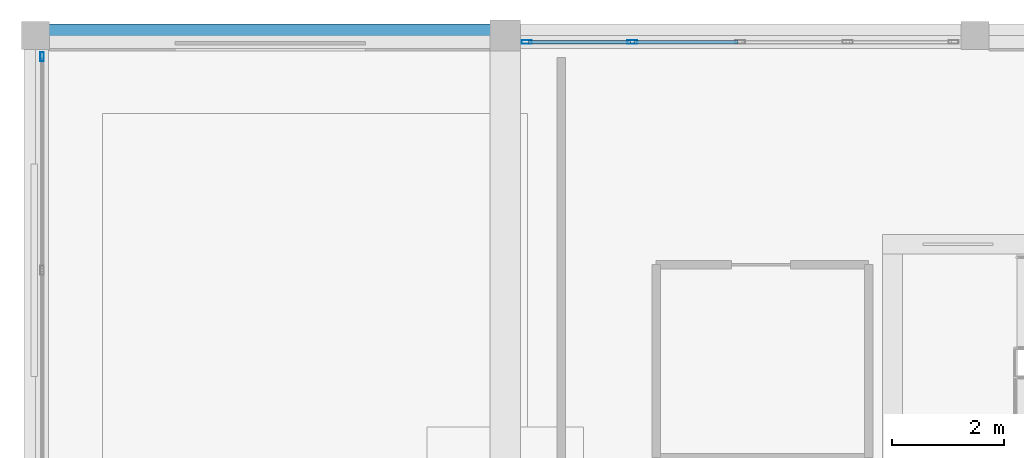
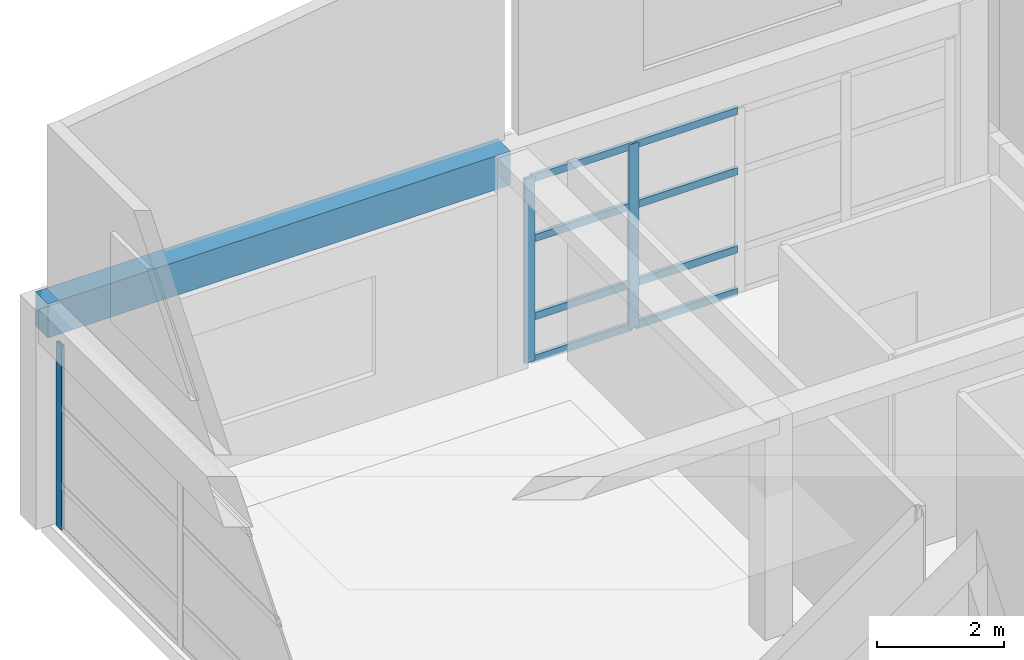
# One storey, part 10 of 17: 11 members, 1 beam, 2 elements without a shape of their own.
"""IFC4 building model written with IfcOpenShell, lengths in metres."""

import ifcopenshell
import ifcopenshell.guid

model = None  # the IFC model being written
_history = None  # IfcOwnerHistory: only IFC2X3 demands one
_inside = {}  # id of a spatial element -> (the spatial element, [elements in it])
_under = {}  # id of a project, library or spatial element -> (it, [spatial elements below it])
_declared = {}  # id of a project -> (the project, [libraries it declares])
_typed = {}  # id of a type object -> (the type object, [elements of that type])
_made_of = {}  # id of a material, layer set ... -> (it, [elements and type objects made of it])


def new_model(schema):
    """Start an empty IFC model of exactly this schema.

    Asked for "IFC4X3", IfcOpenShell would pick the latest addendum, in which some entities
    have other attributes; the version numbers below select the first issue.
    IFC2X3 requires an IfcOwnerHistory on every rooted entity: one is made here for all.
    """
    global model, _history
    if schema == "IFC4X3":
        model = ifcopenshell.file(schema_version=(4, 3, 0, 0))
    else:
        model = ifcopenshell.file(schema=schema)
    _inside.clear()
    _under.clear()
    _declared.clear()
    _typed.clear()
    _made_of.clear()
    _history = None
    if model.schema == "IFC2X3":
        org = make("IfcOrganization", Name="unknown")
        user = make(
            "IfcPersonAndOrganization",
            ThePerson=make("IfcPerson", FamilyName="unknown"),
            TheOrganization=org,
        )
        app = make(
            "IfcApplication",
            ApplicationDeveloper=org,
            Version="unknown",
            ApplicationFullName="unknown",
            ApplicationIdentifier="unknown",
        )
        _history = make(
            "IfcOwnerHistory",
            OwningUser=user,
            OwningApplication=app,
            ChangeAction="ADDED",
            CreationDate=0,
        )
    return model


def make(cls, **values):
    """One entity of the class cls with the attributes given. An attribute that is None is left unset."""
    return model.create_entity(
        cls, **{name: value for name, value in values.items() if value is not None}
    )


def rooted(cls, **values):
    """An entity with a GlobalId (a new one), such as an element, a storey or a relation."""
    return make(cls, GlobalId=ifcopenshell.guid.new(), OwnerHistory=_history, **values)


def si_unit(unit_type, name, prefix=None):
    """IfcSIUnit, for example si_unit("LENGTHUNIT", "METRE", prefix="MILLI")."""
    return make("IfcSIUnit", UnitType=unit_type, Prefix=prefix, Name=name)


def assignment(units):
    """IfcUnitAssignment: the units of a project."""
    return None if units is None else make("IfcUnitAssignment", Units=units)


def point(xyz):
    """IfcCartesianPoint."""
    return None if xyz is None else make("IfcCartesianPoint", Coordinates=xyz)


def direction(xyz):
    """IfcDirection."""
    return None if xyz is None else make("IfcDirection", DirectionRatios=xyz)


def frame(location, z_axis=None, x_axis=None):
    """IfcAxis2Placement3D, a coordinate frame: its origin and axes. An axis left out is left unset."""
    return make(
        "IfcAxis2Placement3D",
        Location=point(location),
        Axis=direction(z_axis),
        RefDirection=direction(x_axis),
    )


def frame_2d(location, x_axis=None):
    """IfcAxis2Placement2D, a coordinate frame in the plane: its origin and x axis."""
    return make(
        "IfcAxis2Placement2D", Location=point(location), RefDirection=direction(x_axis)
    )


def origin():
    """The frame at (0, 0, 0) with its axes left unset."""
    return frame((0.0, 0.0, 0.0))


def origin_2d():
    """The frame at (0, 0) in the plane with its x axis left unset."""
    return frame_2d((0.0, 0.0))


def place(relative_to, where):
    """IfcLocalPlacement: puts the frame where relative to a parent placement (None: the world)."""
    return make(
        "IfcLocalPlacement", PlacementRelTo=relative_to, RelativePlacement=where
    )


def context(
    kind, dimensions, precision=None, world=None, true_north=None, identifier=None
):
    """IfcGeometricRepresentationContext, for example the 3D "Model" context."""
    return make(
        "IfcGeometricRepresentationContext",
        ContextIdentifier=identifier,
        ContextType=kind,
        CoordinateSpaceDimension=dimensions,
        Precision=precision,
        WorldCoordinateSystem=world,
        TrueNorth=true_north,
    )


def subcontext(parent, identifier, kind, view, scale=None):
    """IfcGeometricRepresentationSubContext, for example "Body" below "Model"."""
    return make(
        "IfcGeometricRepresentationSubContext",
        ContextIdentifier=identifier,
        ContextType=kind,
        ParentContext=parent,
        TargetScale=scale,
        TargetView=view,
    )


def project(units=None, contexts=None):
    """IfcProject with its units and contexts."""
    return rooted(
        "IfcProject",
        Name="project",
        RepresentationContexts=contexts,
        UnitsInContext=assignment(units),
    )


def spatial(cls, under=None, at=None, **own):
    """A site, building, storey or space (cls), placed at a placement, below another one or the project."""
    s = rooted(cls, ObjectPlacement=at, **own)
    if under is not None:
        _under.setdefault(under.id(), (under, []))[1].append(s)
    return s


def profile(cls, at=None, kind="AREA", **sizes):
    """A parametric profile (cls). Its sizes go by their IFC names, for example OverallWidth=200.0."""
    return make(cls, ProfileType=kind, Position=at, **sizes)


def rectangle(**sizes):
    """IfcRectangleProfileDef."""
    return profile("IfcRectangleProfileDef", **sizes)


def hollow_rectangle(**sizes):
    """IfcRectangleHollowProfileDef."""
    return profile("IfcRectangleHollowProfileDef", **sizes)


def extrude(swept, where, along, depth):
    """IfcExtrudedAreaSolid: the profile swept, set in the frame where, extruded along a direction by depth."""
    return make(
        "IfcExtrudedAreaSolid",
        SweptArea=swept,
        Position=where,
        ExtrudedDirection=direction(along),
        Depth=depth,
    )


def shape(context_of_items, identifier, shape_type, items):
    """IfcShapeRepresentation: the items that make up one representation, for example the "Body"."""
    return make(
        "IfcShapeRepresentation",
        ContextOfItems=context_of_items,
        RepresentationIdentifier=identifier,
        RepresentationType=shape_type,
        Items=items,
    )


def material(Name=None, Category=None):
    """IfcMaterial."""
    return make("IfcMaterial", Name=Name, Category=Category)


def material_profile(
    of_material, cross_section, Name=None, Category=None, Priority=None
):
    """IfcMaterialProfile: a cross section and its material."""
    return make(
        "IfcMaterialProfile",
        Name=Name,
        Material=of_material,
        Profile=cross_section,
        Priority=Priority,
        Category=Category,
    )


def profile_set(profiles, Name=None, composite=None):
    """IfcMaterialProfileSet."""
    return make(
        "IfcMaterialProfileSet",
        Name=Name,
        MaterialProfiles=profiles,
        CompositeProfile=composite,
    )


def made_of(thing, what):
    """Note that an element or type object is made of a material, layer set ...; save() writes the relation."""
    if what is not None:
        _made_of.setdefault(what.id(), (what, []))[1].append(thing)
    return thing


def type_object(cls, material=None, **own):
    """A type object (cls), such as IfcWallType, which elements share."""
    return made_of(rooted(cls, **own), material)


def element(
    cls,
    number,
    at=None,
    inside=None,
    cuts=None,
    type_object=None,
    material=None,
    context=None,
    identifier="Body",
    shape_type=None,
    held_by="IfcProductDefinitionShape",
    body=None,
    shapes=None,
    **own,
):
    """One element of the class cls, such as IfcWall. Its Tag is "e" and its number.

    at: its placement. inside: the storey or other place that contains it. cuts: it is an
    opening in that element (IfcRelVoidsElement). A single representation is given by context,
    identifier, shape_type and body (its items); several are given by shapes. held_by: the class
    of the entity that holds the representations. save() writes the other relations.
    """
    e = rooted(cls, Tag="e%d" % number, ObjectPlacement=at, **own)
    if body is not None:
        shapes = [shape(context, identifier, shape_type, body)]
    if shapes is not None:
        e.Representation = make(held_by, Representations=shapes)
    if inside is not None:
        _inside.setdefault(inside.id(), (inside, []))[1].append(e)
    if cuts is not None:
        rooted(
            "IfcRelVoidsElement", RelatingBuildingElement=cuts, RelatedOpeningElement=e
        )
    if type_object is not None:
        _typed.setdefault(type_object.id(), (type_object, []))[1].append(e)
    return made_of(e, material)


def aggregate(whole, parts):
    """IfcRelAggregates: a whole, such as a stair, and the parts it consists of."""
    return rooted("IfcRelAggregates", RelatingObject=whole, RelatedObjects=parts)


def save(model, path):
    """Write the relations noted so far, then the file.

    IfcRelAggregates (storeys below a building ...), IfcRelContainedInSpatialStructure (elements
    in a storey), IfcRelDefinesByType, IfcRelAssociatesMaterial and IfcRelDeclares: one each for
    every whole, place, type object, material and project.
    """
    for whole, parts in _under.values():
        aggregate(whole, parts)
    for where, things in _inside.values():
        rooted(
            "IfcRelContainedInSpatialStructure",
            RelatedElements=things,
            RelatingStructure=where,
        )
    for kind, things in _typed.values():
        rooted("IfcRelDefinesByType", RelatedObjects=things, RelatingType=kind)
    for what, things in _made_of.values():
        rooted("IfcRelAssociatesMaterial", RelatedObjects=things, RelatingMaterial=what)
    for by, libraries in _declared.values():
        rooted("IfcRelDeclares", RelatingContext=by, RelatedDefinitions=libraries)
    model.write(path)


model = new_model("IFC4")

# Units and contexts
model_context = context("Model", 3, precision=1e-05, world=origin(), true_north=direction((0.0, 1.0)))
body_context = subcontext(model_context, "Body", "Model", "MODEL_VIEW")
ifc_project = project(units=[si_unit("LENGTHUNIT", "METRE"), si_unit("AREAUNIT", "SQUARE_METRE"), si_unit("VOLUMEUNIT", "CUBIC_METRE"), si_unit("PLANEANGLEUNIT", "RADIAN"), si_unit("MASSUNIT", "GRAM", prefix="KILO")], contexts=[model_context])

# Site, building, storey
site_placement = place(None, origin())
site = spatial("IfcSite", under=ifc_project, at=site_placement, CompositionType="ELEMENT")
building_placement = place(site_placement, origin())
building = spatial("IfcBuilding", under=site, at=building_placement, Name="Almacenes y Pasaje Nevantli", CompositionType="ELEMENT")
storey_placement = place(building_placement, frame((0.0, 0.0, 66.699951171875)))
storey = spatial("IfcBuildingStorey", under=building, at=storey_placement, Name="L16", CompositionType="ELEMENT", Elevation=66.699951171875)

# Beam
ifc_material_1 = material(Name="Concrete C35/45", Category="concrete")
ifc_material_profile_1 = material_profile(ifc_material_1, rectangle(XDim=0.39990234375, YDim=0.64990234375, at=origin_2d()), Name="RC-BM-400x650")
ifc_profile_set_1 = profile_set([ifc_material_profile_1], Name="Concrete C35/45")
beam_type = type_object("IfcBeamType", Name="BM-RC-400x650", PredefinedType="SPANDREL", material=ifc_profile_set_1)
beam_placement = place(storey_placement, frame((117.60009765625, 92.39990234375, 3.89501953125), z_axis=(1.0, 0.0, 0.0), x_axis=(0.0, 1.0, 0.0)))
element("IfcBeam", 1, at=beam_placement, inside=storey, type_object=beam_type, Name="L16 East-West Reinforced Concrete Beam #4052", PredefinedType="SPANDREL", context=body_context, shape_type="SweptSolid", body=[
    extrude(rectangle(XDim=0.39990234375, YDim=0.64990234375, at=origin_2d()), origin(), (0.0, 0.0, 1.0), 8.39990234375),
])

# Curtain wall, member
ifc_material_2 = material(Name="Thermally Broken Aluminium and Low-E Glass", Category="aluminium")
curtain_wall_type = type_object("IfcCurtainWallType", Name="CW-UNIT-TOWER", PredefinedType="USERDEFINED", material=ifc_material_2)
curtain_wall_1_placement = place(storey_placement, origin())
curtain_wall_1 = element("IfcCurtainWall", 2, at=curtain_wall_1_placement, inside=storey, type_object=curtain_wall_type, Name="L16 Tower West Curtain Wall Bay 11", ObjectType="UNITIZED CURTAIN WALL", PredefinedType="USERDEFINED")
ifc_material_3 = material(Name="Thermally Broken Anodized Aluminium", Category="aluminium")
ifc_material_profile_2 = material_profile(ifc_material_3, hollow_rectangle(XDim=0.06005859375, YDim=0.159912109375, WallThickness=0.00390625, at=origin_2d()), Name="ALU-MUL-60x160")
ifc_profile_set_2 = profile_set([ifc_material_profile_2], Name="Thermally Broken Anodized Aluminium")
member_type_1 = type_object("IfcMemberType", Name="CW-MUL-180", PredefinedType="MULLION", material=ifc_profile_set_2)
member_1_placement = place(storey_placement, frame((117.719970703125, 92.02001953125, 0.0), z_axis=(0.0, 0.0, 1.0), x_axis=(-1.0, 0.0, 0.0)))
member_1 = element("IfcMember", 3, at=member_1_placement, type_object=member_type_1, Name="CW-L16-196 mullion 3", PredefinedType="MULLION", context=body_context, shape_type="SweptSolid", body=[
    extrude(hollow_rectangle(XDim=0.06005859375, YDim=0.159912109375, WallThickness=0.00390625, at=origin_2d()), origin(), (0.0, 0.0, 1.0), 3.5400390625),
])
aggregate(curtain_wall_1, [member_1])

# Curtain wall, members
curtain_wall_2_placement = place(storey_placement, origin())
curtain_wall_2 = element("IfcCurtainWall", 4, at=curtain_wall_2_placement, inside=storey, type_object=curtain_wall_type, Name="L16 Tower North Boulevard Unitized Curtain Wall Bay 16", ObjectType="UNITIZED CURTAIN WALL", PredefinedType="USERDEFINED")
ifc_material_4 = material(Name="Thermally Broken Anodized Aluminium", Category="aluminium")
ifc_material_profile_3 = material_profile(ifc_material_4, hollow_rectangle(XDim=0.06494140625, YDim=0.179931640625, WallThickness=0.00390625, at=origin_2d()), Name="ALU-MUL-65x180")
ifc_profile_set_3 = profile_set([ifc_material_profile_3], Name="Thermally Broken Anodized Aluminium")
member_type_2 = type_object("IfcMemberType", Name="CW-MUL-200", PredefinedType="MULLION", material=ifc_profile_set_3)
member_2_placement = place(storey_placement, frame((126.382568359375, 92.280029296875, 0.0), z_axis=(0.0, 0.0, 1.0), x_axis=(0.0, 1.0, 0.0)))
member_2 = element("IfcMember", 5, at=member_2_placement, type_object=member_type_2, Name="CW-L16-192 mullion 1", PredefinedType="MULLION", context=body_context, shape_type="SweptSolid", body=[
    extrude(hollow_rectangle(XDim=0.06494140625, YDim=0.179931640625, WallThickness=0.00390625, at=origin_2d()), origin(), (0.0, 0.0, 1.0), 3.5400390625),
])
member_3_placement = place(storey_placement, frame((128.27490234375, 92.280029296875, 0.0), z_axis=(0.0, 0.0, 1.0), x_axis=(0.0, 1.0, 0.0)))
member_3 = element("IfcMember", 6, at=member_3_placement, type_object=member_type_2, Name="CW-L16-192 mullion 2", PredefinedType="MULLION", context=body_context, shape_type="SweptSolid", body=[
    extrude(hollow_rectangle(XDim=0.06494140625, YDim=0.179931640625, WallThickness=0.00390625, at=origin_2d()), origin(), (0.0, 0.0, 1.0), 3.5400390625),
])
ifc_material_5 = material(Name="Thermally Broken Anodized Aluminium", Category="aluminium")
ifc_material_profile_4 = material_profile(ifc_material_5, hollow_rectangle(XDim=0.06494140625, YDim=0.139892578125, WallThickness=0.00390625, at=origin_2d()), Name="ALU-TRN-65x140")
ifc_profile_set_4 = profile_set([ifc_material_profile_4], Name="Thermally Broken Anodized Aluminium")
member_type_3 = type_object("IfcMemberType", Name="CW-TRN-150", PredefinedType="USERDEFINED", material=ifc_profile_set_4)
member_4_placement = place(storey_placement, frame((126.4150390625, 92.280029296875, 0.032470703125), z_axis=(1.0, 0.0, 0.0), x_axis=(0.0, 1.0, 0.0)))
member_4 = element("IfcMember", 7, at=member_4_placement, type_object=member_type_3, Name="CW-L16-192 transom 1.1", ObjectType="TRANSOM", PredefinedType="USERDEFINED", context=body_context, shape_type="SweptSolid", body=[
    extrude(hollow_rectangle(XDim=0.06494140625, YDim=0.139892578125, WallThickness=0.00390625, at=origin_2d()), origin(), (0.0, 0.0, 1.0), 1.827392578125),
])
member_5_placement = place(storey_placement, frame((126.4150390625, 92.280029296875, 0.85009765625), z_axis=(1.0, 0.0, 0.0), x_axis=(0.0, 1.0, 0.0)))
member_5 = element("IfcMember", 8, at=member_5_placement, type_object=member_type_3, Name="CW-L16-192 transom 1.2", ObjectType="TRANSOM", PredefinedType="USERDEFINED", context=body_context, shape_type="SweptSolid", body=[
    extrude(hollow_rectangle(XDim=0.06494140625, YDim=0.139892578125, WallThickness=0.00390625, at=origin_2d()), origin(), (0.0, 0.0, 1.0), 1.827392578125),
])
member_6_placement = place(storey_placement, frame((126.4150390625, 92.280029296875, 2.35009765625), z_axis=(1.0, 0.0, 0.0), x_axis=(0.0, 1.0, 0.0)))
member_6 = element("IfcMember", 9, at=member_6_placement, type_object=member_type_3, Name="CW-L16-192 transom 1.3", ObjectType="TRANSOM", PredefinedType="USERDEFINED", context=body_context, shape_type="SweptSolid", body=[
    extrude(hollow_rectangle(XDim=0.06494140625, YDim=0.139892578125, WallThickness=0.00390625, at=origin_2d()), origin(), (0.0, 0.0, 1.0), 1.827392578125),
])
member_7_placement = place(storey_placement, frame((126.4150390625, 92.280029296875, 3.507568359375), z_axis=(1.0, 0.0, 0.0), x_axis=(0.0, 1.0, 0.0)))
member_7 = element("IfcMember", 10, at=member_7_placement, type_object=member_type_3, Name="CW-L16-192 transom 1.4", ObjectType="TRANSOM", PredefinedType="USERDEFINED", context=body_context, shape_type="SweptSolid", body=[
    extrude(hollow_rectangle(XDim=0.06494140625, YDim=0.139892578125, WallThickness=0.00390625, at=origin_2d()), origin(), (0.0, 0.0, 1.0), 1.827392578125),
])
member_8_placement = place(storey_placement, frame((128.3076171875, 92.280029296875, 0.032470703125), z_axis=(1.0, 0.0, 0.0), x_axis=(0.0, 1.0, 0.0)))
member_8 = element("IfcMember", 11, at=member_8_placement, type_object=member_type_3, Name="CW-L16-192 transom 2.1", ObjectType="TRANSOM", PredefinedType="USERDEFINED", context=body_context, shape_type="SweptSolid", body=[
    extrude(hollow_rectangle(XDim=0.06494140625, YDim=0.139892578125, WallThickness=0.00390625, at=origin_2d()), origin(), (0.0, 0.0, 1.0), 1.85986328125),
])
member_9_placement = place(storey_placement, frame((128.3076171875, 92.280029296875, 0.85009765625), z_axis=(1.0, 0.0, 0.0), x_axis=(0.0, 1.0, 0.0)))
member_9 = element("IfcMember", 12, at=member_9_placement, type_object=member_type_3, Name="CW-L16-192 transom 2.2", ObjectType="TRANSOM", PredefinedType="USERDEFINED", context=body_context, shape_type="SweptSolid", body=[
    extrude(hollow_rectangle(XDim=0.06494140625, YDim=0.139892578125, WallThickness=0.00390625, at=origin_2d()), origin(), (0.0, 0.0, 1.0), 1.85986328125),
])
member_10_placement = place(storey_placement, frame((128.3076171875, 92.280029296875, 2.35009765625), z_axis=(1.0, 0.0, 0.0), x_axis=(0.0, 1.0, 0.0)))
member_10 = element("IfcMember", 13, at=member_10_placement, type_object=member_type_3, Name="CW-L16-192 transom 2.3", ObjectType="TRANSOM", PredefinedType="USERDEFINED", context=body_context, shape_type="SweptSolid", body=[
    extrude(hollow_rectangle(XDim=0.06494140625, YDim=0.139892578125, WallThickness=0.00390625, at=origin_2d()), origin(), (0.0, 0.0, 1.0), 1.85986328125),
])
member_11_placement = place(storey_placement, frame((128.3076171875, 92.280029296875, 3.507568359375), z_axis=(1.0, 0.0, 0.0), x_axis=(0.0, 1.0, 0.0)))
member_11 = element("IfcMember", 14, at=member_11_placement, type_object=member_type_3, Name="CW-L16-192 transom 2.4", ObjectType="TRANSOM", PredefinedType="USERDEFINED", context=body_context, shape_type="SweptSolid", body=[
    extrude(hollow_rectangle(XDim=0.06494140625, YDim=0.139892578125, WallThickness=0.00390625, at=origin_2d()), origin(), (0.0, 0.0, 1.0), 1.85986328125),
])
aggregate(curtain_wall_2, [member_2, member_3, member_4, member_5, member_6, member_7, member_8, member_9, member_10, member_11])

save(model, "model.ifc")
